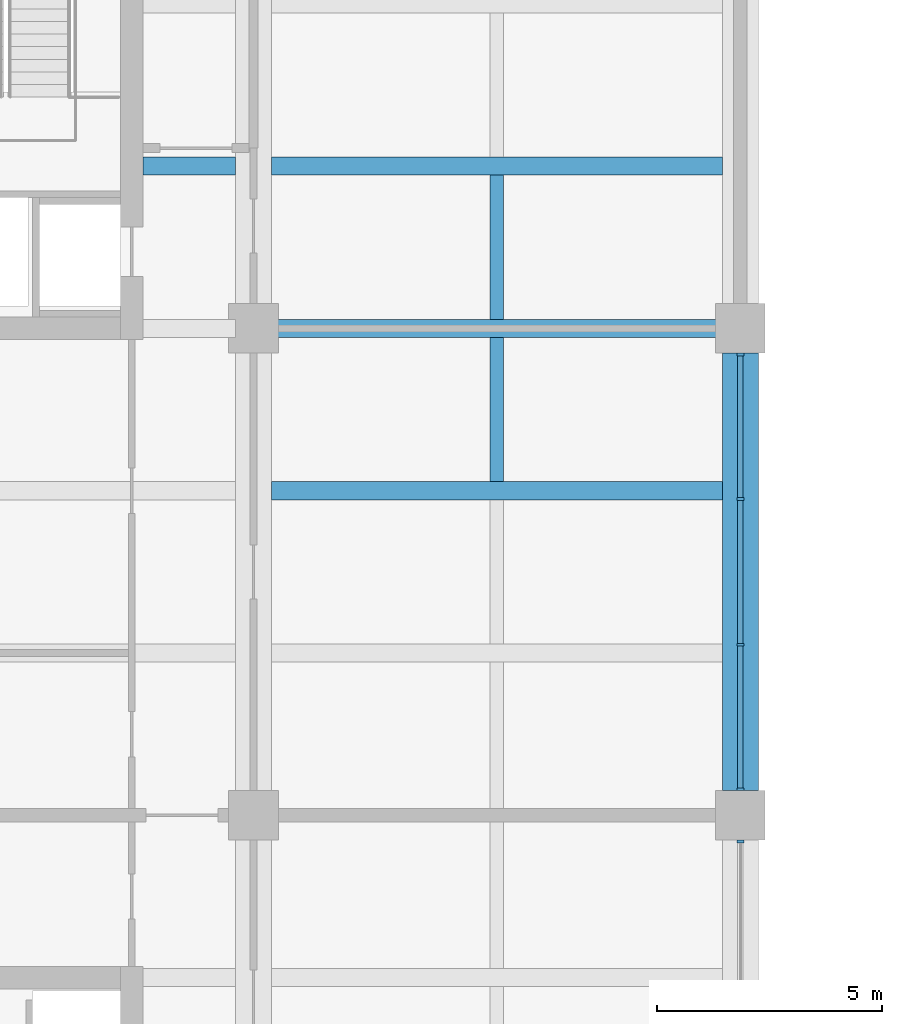
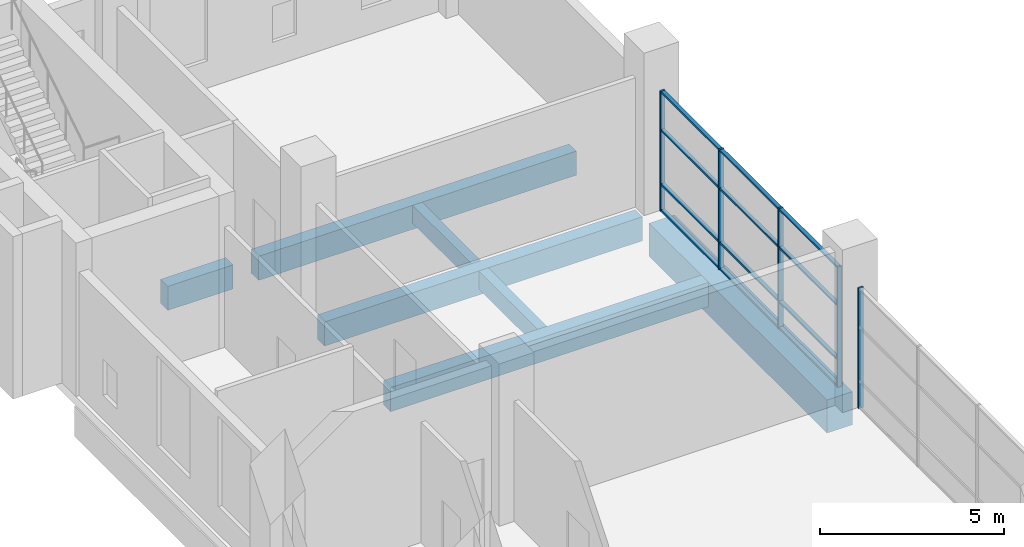
# One storey, part 6 of 33: 17 members, 7 beams, 2 elements without a shape of their own.
"""IFC4 building model written with IfcOpenShell, lengths in metres."""

from ifc_helpers import new_model, si_unit, direction, frame, origin, origin_2d, place, context, subcontext, project, spatial, rectangle, extrude, material, layer, layer_set, material_profile, profile_set, type_object, element, aggregate, save


model = new_model("IFC4")

# Units and contexts
model_context = context("Model", 3, precision=1e-05, world=origin(), true_north=direction((0.0, 1.0)))
body_context = subcontext(model_context, "Body", "Model", "MODEL_VIEW")
ifc_project = project(units=[si_unit("LENGTHUNIT", "METRE"), si_unit("AREAUNIT", "SQUARE_METRE"), si_unit("VOLUMEUNIT", "CUBIC_METRE"), si_unit("PLANEANGLEUNIT", "RADIAN"), si_unit("MASSUNIT", "GRAM", prefix="KILO")], contexts=[model_context])

# Site, building, storey
site_placement = place(None, origin())
site = spatial("IfcSite", under=ifc_project, at=site_placement, CompositionType="ELEMENT")
building_placement = place(site_placement, origin())
building = spatial("IfcBuilding", under=site, at=building_placement, Name="Basin Gate Institute", CompositionType="ELEMENT")
storey_placement = place(building_placement, frame((0.0, 0.0, 6.0)))
storey = spatial("IfcBuildingStorey", under=building, at=storey_placement, Name="L01", CompositionType="ELEMENT", Elevation=6.0)

# Beams
ifc_material_1 = material(Name="Concrete 40 MPa", Category="concrete")
ifc_material_profile_1 = material_profile(ifc_material_1, rectangle(XDim=0.39990234375, YDim=0.800048828125, at=origin_2d()), Name="Beam B2 400 x 800")
ifc_profile_set_1 = profile_set([ifc_material_profile_1], Name="Concrete 40 MPa")
beam_type_1 = type_object("IfcBeamType", Name="Beam B2 R180", PredefinedType="BEAM", material=ifc_profile_set_1)
for number, where, z_axis, x_axis, name in (
    (1, (68.800048828125, 85.5, -0.699951171875), (1.0, 0.0, 0.0), (0.0, 1.0, 0.0), "BEAM/L01/W/EW/15"),
    (2, (68.800048828125, 89.10009765625, -0.699951171875), (1.0, 0.0, 0.0), (0.0, 1.0, 0.0), "BEAM/L01/W/EW/16"),
    (3, (68.800048828125, 92.699951171875, -0.699951171875), (1.0, 0.0, 0.0), (0.0, 1.0, 0.0), "BEAM/L01/W/EW/17"),
):
    element("IfcBeam", number, at=place(storey_placement, frame(where, z_axis=z_axis, x_axis=x_axis)), inside=storey, type_object=beam_type_1, material=ifc_profile_set_1, Name=name, PredefinedType="BEAM", context=body_context, shape_type="SweptSolid", body=[
        extrude(rectangle(XDim=0.39990234375, YDim=0.800048828125, at=origin_2d()), origin(), (0.0, 0.0, 1.0), 10.0),
    ])
beam_1_placement = place(storey_placement, frame((65.949951171875, 92.699951171875, -0.699951171875), z_axis=(1.0, 0.0, 0.0), x_axis=(0.0, 1.0, 0.0)))
element("IfcBeam", 4, at=beam_1_placement, inside=storey, type_object=beam_type_1, material=ifc_profile_set_1, Name="BEAM/L01/W/CORR/17", PredefinedType="BEAM", context=body_context, shape_type="SweptSolid", body=[
    extrude(rectangle(XDim=0.39990234375, YDim=0.800048828125, at=origin_2d()), origin(), (0.0, 0.0, 1.0), 2.050048828125),
])
ifc_material_2 = material(Name="Concrete 50 MPa", Category="concrete")
ifc_material_profile_2 = material_profile(ifc_material_2, rectangle(XDim=0.800048828125, YDim=1.10009765625, at=origin_2d()), Name="Girder G2 800 x 1100")
ifc_profile_set_2 = profile_set([ifc_material_profile_2], Name="Concrete 50 MPa")
beam_type_2 = type_object("IfcBeamType", Name="Girder G2 R180", PredefinedType="BEAM", material=ifc_profile_set_2)
beam_2_placement = place(storey_placement, frame((79.199951171875, 78.85009765625, -0.85009765625), z_axis=(0.0, 1.0, 0.0), x_axis=(-1.0, 0.0, 0.0)))
element("IfcBeam", 5, at=beam_2_placement, inside=storey, type_object=beam_type_2, material=ifc_profile_set_2, Name="GIR/L01/W6/5", PredefinedType="BEAM", context=body_context, shape_type="SweptSolid", body=[
    extrude(rectangle(XDim=0.800048828125, YDim=1.10009765625, at=origin_2d()), origin(), (0.0, 0.0, 1.0), 9.699951171875),
])

# Curtain wall, member
ifc_material_3 = material(Name="Fire-resistant glazing in steel-free frame", Category="steel")
ifc_layer = layer(ifc_material_3, 0.199951171875)
ifc_layer_set = layer_set([ifc_layer], Name="Fire-resistant glazing in steel-free frame")
curtain_wall_type = type_object("IfcCurtainWallType", Name="Atrium rated curtain wall CW3", PredefinedType="NOTDEFINED", material=ifc_layer_set)
curtain_wall_1_placement = place(storey_placement, origin())
curtain_wall_1 = element("IfcCurtainWall", 6, at=curtain_wall_1_placement, inside=storey, type_object=curtain_wall_type, material=ifc_layer_set, Name="Atrium rated curtain wall W wing atrium bay 4 L01", PredefinedType="NOTDEFINED")
ifc_material_4 = material(Name="Aluminium", Category="aluminium")
ifc_material_profile_3 = material_profile(ifc_material_4, rectangle(XDim=0.14990234375, YDim=0.06005859375, at=origin_2d()), Name="Mullion MU3 150 x 60")
ifc_profile_set_3 = profile_set([ifc_material_profile_3], Name="Aluminium")
member_type_1 = type_object("IfcMemberType", Name="Mullion MU3", PredefinedType="MULLION", material=ifc_profile_set_3)
member_1_placement = place(storey_placement, frame((79.199951171875, 77.719970703125, 0.0), z_axis=(0.0, 0.0, 1.0), x_axis=(-1.0, 0.0, 0.0)))
member_1 = element("IfcMember", 7, at=member_1_placement, type_object=member_type_1, material=ifc_profile_set_3, Name="CW3 mullion 4", PredefinedType="MULLION", context=body_context, shape_type="SweptSolid", body=[
    extrude(rectangle(XDim=0.14990234375, YDim=0.06005859375, at=origin_2d()), origin(), (0.0, 0.0, 1.0), 4.0),
])
aggregate(curtain_wall_1, [member_1])

# Curtain wall, members
curtain_wall_2_placement = place(storey_placement, origin())
curtain_wall_2 = element("IfcCurtainWall", 8, at=curtain_wall_2_placement, inside=storey, type_object=curtain_wall_type, material=ifc_layer_set, Name="Atrium rated curtain wall W wing atrium bay 5 L01", PredefinedType="NOTDEFINED")
member_2_placement = place(storey_placement, frame((79.199951171875, 78.8798828125, 0.0), z_axis=(0.0, 0.0, 1.0), x_axis=(-1.0, 0.0, 0.0)))
member_2 = element("IfcMember", 9, at=member_2_placement, type_object=member_type_1, material=ifc_profile_set_3, Name="CW3 mullion 1", PredefinedType="MULLION", context=body_context, shape_type="SweptSolid", body=[
    extrude(rectangle(XDim=0.14990234375, YDim=0.06005859375, at=origin_2d()), origin(), (0.0, 0.0, 1.0), 4.0),
])
member_3_placement = place(storey_placement, frame((79.199951171875, 82.083251953125, 0.0), z_axis=(0.0, 0.0, 1.0), x_axis=(-1.0, 0.0, 0.0)))
member_3 = element("IfcMember", 10, at=member_3_placement, type_object=member_type_1, material=ifc_profile_set_3, Name="CW3 mullion 2", PredefinedType="MULLION", context=body_context, shape_type="SweptSolid", body=[
    extrude(rectangle(XDim=0.14990234375, YDim=0.06005859375, at=origin_2d()), origin(), (0.0, 0.0, 1.0), 4.0),
])
member_4_placement = place(storey_placement, frame((79.199951171875, 85.316650390625, 0.0), z_axis=(0.0, 0.0, 1.0), x_axis=(-1.0, 0.0, 0.0)))
member_4 = element("IfcMember", 11, at=member_4_placement, type_object=member_type_1, material=ifc_profile_set_3, Name="CW3 mullion 3", PredefinedType="MULLION", context=body_context, shape_type="SweptSolid", body=[
    extrude(rectangle(XDim=0.14990234375, YDim=0.06005859375, at=origin_2d()), origin(), (0.0, 0.0, 1.0), 4.0),
])
member_5_placement = place(storey_placement, frame((79.199951171875, 88.52001953125, 0.0), z_axis=(0.0, 0.0, 1.0), x_axis=(-1.0, 0.0, 0.0)))
member_5 = element("IfcMember", 12, at=member_5_placement, type_object=member_type_1, material=ifc_profile_set_3, Name="CW3 mullion 4", PredefinedType="MULLION", context=body_context, shape_type="SweptSolid", body=[
    extrude(rectangle(XDim=0.14990234375, YDim=0.06005859375, at=origin_2d()), origin(), (0.0, 0.0, 1.0), 4.0),
])

# Beams
ifc_material_5 = material(Name="Concrete 40 MPa", Category="concrete")
ifc_material_profile_4 = material_profile(ifc_material_5, rectangle(XDim=0.300048828125, YDim=0.60009765625, at=origin_2d()), Name="Rib R2 300 x 600")
ifc_profile_set_4 = profile_set([ifc_material_profile_4], Name="Concrete 40 MPa")
beam_type_3 = type_object("IfcBeamType", Name="Rib R2 R180", PredefinedType="JOIST", material=ifc_profile_set_4)
for number, where, z_axis, x_axis, name in (
    (13, (73.800048828125, 85.699951171875, -0.60009765625), (0.0, 1.0, 0.0), (-1.0, 0.0, 0.0), "BEAM/L01/W/RIB/15"),
    (14, (73.800048828125, 89.300048828125, -0.60009765625), (0.0, 1.0, 0.0), (-1.0, 0.0, 0.0), "BEAM/L01/W/RIB/16"),
):
    element("IfcBeam", number, at=place(storey_placement, frame(where, z_axis=z_axis, x_axis=x_axis)), inside=storey, type_object=beam_type_3, material=ifc_profile_set_4, Name=name, PredefinedType="JOIST", context=body_context, shape_type="SweptSolid", body=[
        extrude(rectangle(XDim=0.300048828125, YDim=0.60009765625, at=origin_2d()), origin(), (0.0, 0.0, 1.0), 3.199951171875),
    ])

# Member
ifc_material_6 = material(Name="Aluminium", Category="aluminium")
ifc_material_profile_5 = material_profile(ifc_material_6, rectangle(XDim=0.1201171875, YDim=0.06005859375, at=origin_2d()), Name="Transom TR3 120 x 60")
ifc_profile_set_5 = profile_set([ifc_material_profile_5], Name="Aluminium")
member_type_2 = type_object("IfcMemberType", Name="Transom TR3", PredefinedType="USERDEFINED", material=ifc_profile_set_5)
member_6_placement = place(storey_placement, frame((79.199951171875, 78.909912109375, 0.030029296875), z_axis=(0.0, 1.0, 0.0), x_axis=(-1.0, 0.0, 0.0)))
member_6 = element("IfcMember", 15, at=member_6_placement, type_object=member_type_2, material=ifc_profile_set_5, Name="CW3 transom 1.1", ObjectType="TRANSOM", PredefinedType="USERDEFINED", context=body_context, shape_type="SweptSolid", body=[
    extrude(rectangle(XDim=0.1201171875, YDim=0.06005859375, at=origin_2d()), origin(), (0.0, 0.0, 1.0), 3.143310546875),
])

member_7_placement = place(storey_placement, frame((79.199951171875, 78.909912109375, 0.89990234375), z_axis=(0.0, 1.0, 0.0), x_axis=(-1.0, 0.0, 0.0)))
member_7 = element("IfcMember", 16, at=member_7_placement, type_object=member_type_2, material=ifc_profile_set_5, Name="CW3 transom 1.2", ObjectType="TRANSOM", PredefinedType="USERDEFINED", context=body_context, shape_type="SweptSolid", body=[
    extrude(rectangle(XDim=0.1201171875, YDim=0.06005859375, at=origin_2d()), origin(), (0.0, 0.0, 1.0), 3.143310546875),
])

member_8_placement = place(storey_placement, frame((79.199951171875, 78.909912109375, 2.699951171875), z_axis=(0.0, 1.0, 0.0), x_axis=(-1.0, 0.0, 0.0)))
member_8 = element("IfcMember", 17, at=member_8_placement, type_object=member_type_2, material=ifc_profile_set_5, Name="CW3 transom 1.3", ObjectType="TRANSOM", PredefinedType="USERDEFINED", context=body_context, shape_type="SweptSolid", body=[
    extrude(rectangle(XDim=0.1201171875, YDim=0.06005859375, at=origin_2d()), origin(), (0.0, 0.0, 1.0), 3.143310546875),
])

member_9_placement = place(storey_placement, frame((79.199951171875, 78.909912109375, 3.969970703125), z_axis=(0.0, 1.0, 0.0), x_axis=(-1.0, 0.0, 0.0)))
member_9 = element("IfcMember", 18, at=member_9_placement, type_object=member_type_2, material=ifc_profile_set_5, Name="CW3 transom 1.4", ObjectType="TRANSOM", PredefinedType="USERDEFINED", context=body_context, shape_type="SweptSolid", body=[
    extrude(rectangle(XDim=0.1201171875, YDim=0.06005859375, at=origin_2d()), origin(), (0.0, 0.0, 1.0), 3.143310546875),
])

member_10_placement = place(storey_placement, frame((79.199951171875, 82.11328125, 0.030029296875), z_axis=(0.0, 1.0, 0.0), x_axis=(-1.0, 0.0, 0.0)))
member_10 = element("IfcMember", 19, at=member_10_placement, type_object=member_type_2, material=ifc_profile_set_5, Name="CW3 transom 2.1", ObjectType="TRANSOM", PredefinedType="USERDEFINED", context=body_context, shape_type="SweptSolid", body=[
    extrude(rectangle(XDim=0.1201171875, YDim=0.06005859375, at=origin_2d()), origin(), (0.0, 0.0, 1.0), 3.17333984375),
])

member_11_placement = place(storey_placement, frame((79.199951171875, 82.11328125, 0.89990234375), z_axis=(0.0, 1.0, 0.0), x_axis=(-1.0, 0.0, 0.0)))
member_11 = element("IfcMember", 20, at=member_11_placement, type_object=member_type_2, material=ifc_profile_set_5, Name="CW3 transom 2.2", ObjectType="TRANSOM", PredefinedType="USERDEFINED", context=body_context, shape_type="SweptSolid", body=[
    extrude(rectangle(XDim=0.1201171875, YDim=0.06005859375, at=origin_2d()), origin(), (0.0, 0.0, 1.0), 3.17333984375),
])

member_12_placement = place(storey_placement, frame((79.199951171875, 82.11328125, 2.699951171875), z_axis=(0.0, 1.0, 0.0), x_axis=(-1.0, 0.0, 0.0)))
member_12 = element("IfcMember", 21, at=member_12_placement, type_object=member_type_2, material=ifc_profile_set_5, Name="CW3 transom 2.3", ObjectType="TRANSOM", PredefinedType="USERDEFINED", context=body_context, shape_type="SweptSolid", body=[
    extrude(rectangle(XDim=0.1201171875, YDim=0.06005859375, at=origin_2d()), origin(), (0.0, 0.0, 1.0), 3.17333984375),
])

member_13_placement = place(storey_placement, frame((79.199951171875, 82.11328125, 3.969970703125), z_axis=(0.0, 1.0, 0.0), x_axis=(-1.0, 0.0, 0.0)))
member_13 = element("IfcMember", 22, at=member_13_placement, type_object=member_type_2, material=ifc_profile_set_5, Name="CW3 transom 2.4", ObjectType="TRANSOM", PredefinedType="USERDEFINED", context=body_context, shape_type="SweptSolid", body=[
    extrude(rectangle(XDim=0.1201171875, YDim=0.06005859375, at=origin_2d()), origin(), (0.0, 0.0, 1.0), 3.17333984375),
])

member_14_placement = place(storey_placement, frame((79.199951171875, 85.3466796875, 0.030029296875), z_axis=(0.0, 1.0, 0.0), x_axis=(-1.0, 0.0, 0.0)))
member_14 = element("IfcMember", 23, at=member_14_placement, type_object=member_type_2, material=ifc_profile_set_5, Name="CW3 transom 3.1", ObjectType="TRANSOM", PredefinedType="USERDEFINED", context=body_context, shape_type="SweptSolid", body=[
    extrude(rectangle(XDim=0.1201171875, YDim=0.06005859375, at=origin_2d()), origin(), (0.0, 0.0, 1.0), 3.143310546875),
])

member_15_placement = place(storey_placement, frame((79.199951171875, 85.3466796875, 0.89990234375), z_axis=(0.0, 1.0, 0.0), x_axis=(-1.0, 0.0, 0.0)))
member_15 = element("IfcMember", 24, at=member_15_placement, type_object=member_type_2, material=ifc_profile_set_5, Name="CW3 transom 3.2", ObjectType="TRANSOM", PredefinedType="USERDEFINED", context=body_context, shape_type="SweptSolid", body=[
    extrude(rectangle(XDim=0.1201171875, YDim=0.06005859375, at=origin_2d()), origin(), (0.0, 0.0, 1.0), 3.143310546875),
])

member_16_placement = place(storey_placement, frame((79.199951171875, 85.3466796875, 2.699951171875), z_axis=(0.0, 1.0, 0.0), x_axis=(-1.0, 0.0, 0.0)))
member_16 = element("IfcMember", 25, at=member_16_placement, type_object=member_type_2, material=ifc_profile_set_5, Name="CW3 transom 3.3", ObjectType="TRANSOM", PredefinedType="USERDEFINED", context=body_context, shape_type="SweptSolid", body=[
    extrude(rectangle(XDim=0.1201171875, YDim=0.06005859375, at=origin_2d()), origin(), (0.0, 0.0, 1.0), 3.143310546875),
])

member_17_placement = place(storey_placement, frame((79.199951171875, 85.3466796875, 3.969970703125), z_axis=(0.0, 1.0, 0.0), x_axis=(-1.0, 0.0, 0.0)))
member_17 = element("IfcMember", 26, at=member_17_placement, type_object=member_type_2, material=ifc_profile_set_5, Name="CW3 transom 3.4", ObjectType="TRANSOM", PredefinedType="USERDEFINED", context=body_context, shape_type="SweptSolid", body=[
    extrude(rectangle(XDim=0.1201171875, YDim=0.06005859375, at=origin_2d()), origin(), (0.0, 0.0, 1.0), 3.143310546875),
])

aggregate(curtain_wall_2, [member_2, member_3, member_4, member_5, member_6, member_7, member_8, member_9, member_10, member_11, member_12, member_13, member_14, member_15, member_16, member_17])

save(model, "model.ifc")
